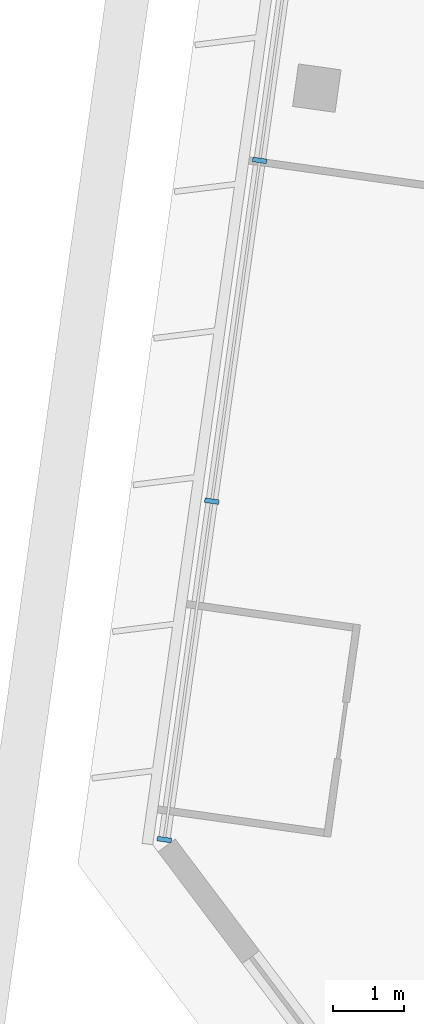
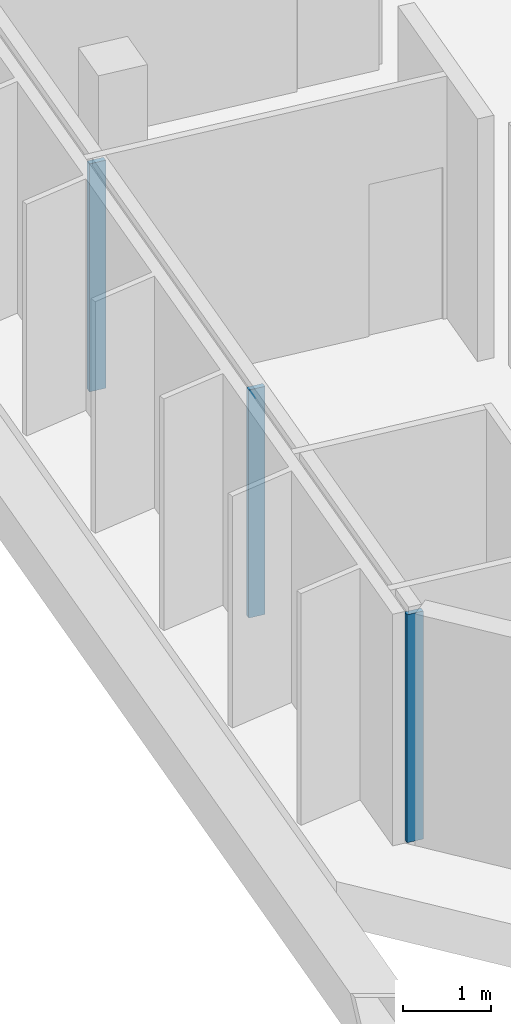
# One storey, part 2 of 31: 3 members, 1 element without a shape of its own.
"""IFC4 building model written with IfcOpenShell, lengths in metres."""

from ifc_helpers import new_model, si_unit, direction, frame, origin, origin_2d, place, context, subcontext, project, spatial, rectangle, extrude, material, material_profile, profile_set, type_object, element, aggregate, save


model = new_model("IFC4")

# Units and contexts
model_context = context("Model", 3, precision=1e-05, world=origin(), true_north=direction((0.0, 1.0)))
body_context = subcontext(model_context, "Body", "Model", "MODEL_VIEW")
ifc_project = project(units=[si_unit("LENGTHUNIT", "METRE"), si_unit("AREAUNIT", "SQUARE_METRE"), si_unit("VOLUMEUNIT", "CUBIC_METRE"), si_unit("PLANEANGLEUNIT", "RADIAN"), si_unit("MASSUNIT", "GRAM", prefix="KILO")], contexts=[model_context])

# Site, building, storey
site_placement = place(None, origin())
site = spatial("IfcSite", under=ifc_project, at=site_placement, CompositionType="ELEMENT")
building_placement = place(site_placement, origin())
building = spatial("IfcBuilding", under=site, at=building_placement, Name="Mirante Cascada Hotel Towers", CompositionType="ELEMENT")
storey_placement = place(building_placement, frame((0.0, 0.0, 157.4)))
storey = spatial("IfcBuildingStorey", under=building, at=storey_placement, Name="L36", CompositionType="ELEMENT", Elevation=157.4)

# Curtain wall, members
ifc_material_1 = material(Name="Aluminium mullion and transom frame with clear laminated glass", Category="aluminium")
curtain_wall_type = type_object("IfcCurtainWallType", Name="End ribbon curtain wall ECW2", PredefinedType="NOTDEFINED", material=ifc_material_1)
curtain_wall_placement = place(storey_placement, origin())
curtain_wall = element("IfcCurtainWall", 1, at=curtain_wall_placement, inside=storey, type_object=curtain_wall_type, Name="Outer end wall T1 L36", PredefinedType="NOTDEFINED")
ifc_material_2 = material(Name="Anodised aluminium extrusion", Category="aluminium")
ifc_material_profile = material_profile(ifc_material_2, rectangle(XDim=0.2, YDim=0.065, at=origin_2d()), Name="ECW2 MULLION 65x200")
ifc_profile_set = profile_set([ifc_material_profile], Name="Anodised aluminium extrusion")
member_type = type_object("IfcMemberType", Name="ECW2 mullion 65x200", PredefinedType="MULLION", material=ifc_profile_set)
member_1_placement = place(storey_placement, frame((-94.2432, -7.5181, 0.1), z_axis=(0.0, 0.0, 1.0), x_axis=(-0.9902681, 0.1391731, 0.0)))
member_1 = element("IfcMember", 2, at=member_1_placement, type_object=member_type, Name="ECW2 mullion 1", PredefinedType="MULLION", context=body_context, shape_type="SweptSolid", body=[
    extrude(rectangle(XDim=0.2, YDim=0.065, at=origin_2d()), origin(), (0.0, 0.0, 1.0), 3.15),
])
member_2_placement = place(storey_placement, frame((-93.5779, -2.7845, 0.1), z_axis=(0.0, 0.0, 1.0), x_axis=(-0.9902681, 0.1391731, 0.0)))
member_2 = element("IfcMember", 3, at=member_2_placement, type_object=member_type, Name="ECW2 mullion 2", PredefinedType="MULLION", context=body_context, shape_type="SweptSolid", body=[
    extrude(rectangle(XDim=0.2, YDim=0.065, at=origin_2d()), origin(), (0.0, 0.0, 1.0), 3.15),
])
member_3_placement = place(storey_placement, frame((-92.9081, 1.9812, 0.1), z_axis=(0.0, 0.0, 1.0), x_axis=(-0.9902681, 0.1391731, 0.0)))
member_3 = element("IfcMember", 4, at=member_3_placement, type_object=member_type, Name="ECW2 mullion 3", PredefinedType="MULLION", context=body_context, shape_type="SweptSolid", body=[
    extrude(rectangle(XDim=0.2, YDim=0.065, at=origin_2d()), origin(), (0.0, 0.0, 1.0), 3.15),
])
aggregate(curtain_wall, [member_1, member_2, member_3])

save(model, "model.ifc")
